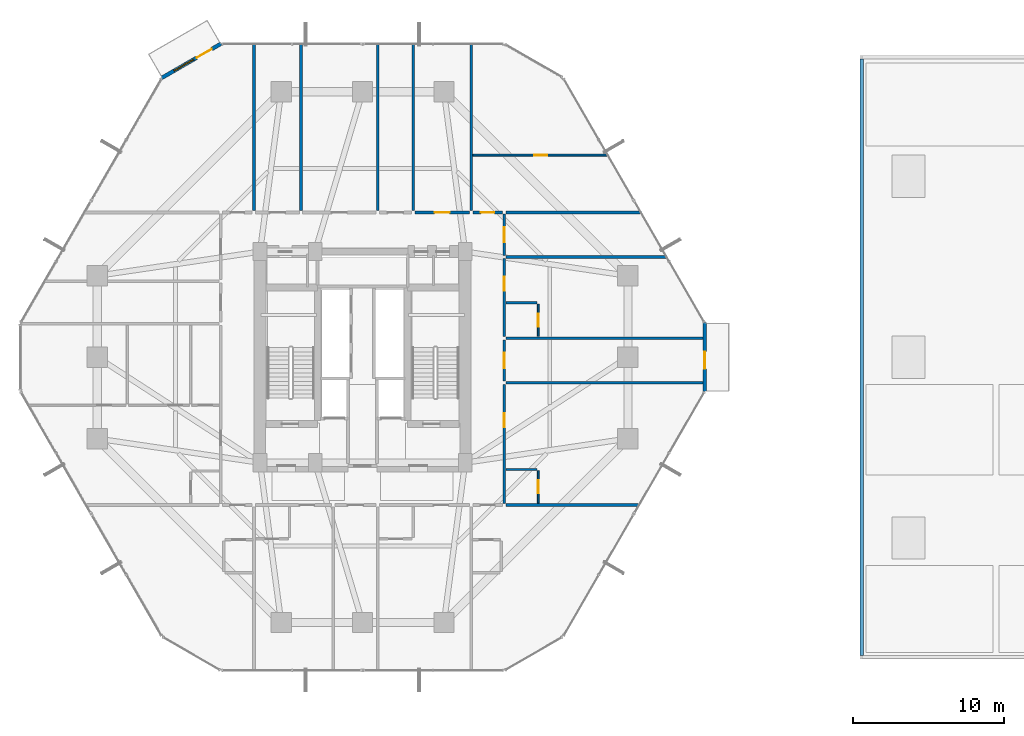
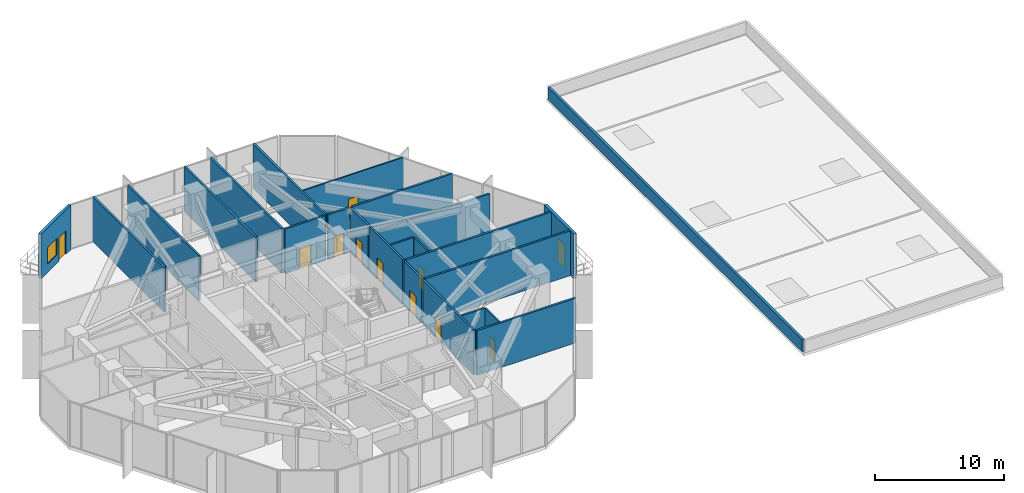
# One storey, part 35 of 39: 24 walls, 11 doors, 1 window, 12 openings.
"""IFC4 building model written with IfcOpenShell, lengths in metres."""

from ifc_helpers import new_model, si_unit, direction, frame, frame_2d, origin, place, context, subcontext, project, spatial, rectangle, extrude, source, transform, mapped, material, layer, layer_set, type_object, element, fill, save


model = new_model("IFC4")

# Units and contexts
model_context = context("Model", 3, precision=1e-05, world=origin(), true_north=direction((0.0, 1.0)))
body_context = subcontext(model_context, "Body", "Model", "MODEL_VIEW")
ifc_project = project(units=[si_unit("LENGTHUNIT", "METRE"), si_unit("AREAUNIT", "SQUARE_METRE"), si_unit("VOLUMEUNIT", "CUBIC_METRE"), si_unit("PLANEANGLEUNIT", "RADIAN"), si_unit("MASSUNIT", "GRAM", prefix="KILO")], contexts=[model_context])

# Site, building, storey
site_placement = place(None, origin())
site = spatial("IfcSite", under=ifc_project, at=site_placement, CompositionType="ELEMENT")
building_placement = place(site_placement, origin())
building = spatial("IfcBuilding", under=site, at=building_placement, Name="Veraguas Prism Commons", CompositionType="ELEMENT")
storey_placement = place(building_placement, frame((0.0, 0.0, 22.800048828125)))
storey = spatial("IfcBuildingStorey", under=building, at=storey_placement, Name="L05", CompositionType="ELEMENT", Elevation=22.800048828125)

# Walls
ifc_material_1 = material(Name="Autoclaved aerated masonry block 10 MPa", Category="masonry")
ifc_layer_1 = layer(ifc_material_1, 0.179931640625, Name="Corridor and Inter-Tenancy Partition 180", Category="masonry")
ifc_layer_set_1 = layer_set([ifc_layer_1], Name="Autoclaved aerated masonry block 10 MPa")
wall_type_1 = type_object("IfcWallType", Name="Corridor and Inter-Tenancy Partition 180", PredefinedType="PARTITIONING", material=ifc_layer_set_1)
for number, where, z_axis, x_axis, name in (
    (1, (16.800048828125, 33.719970703125, 0.0), (0.0, 0.0, 1.0), (0.0, 1.0, 0.0), "WL-L05-PT012"),
    (2, (31.199951171875, 33.719970703125, 0.0), (0.0, 0.0, 1.0), (0.0, 1.0, 0.0), "WL-L05-PT013"),
    (3, (19.9189453125, 33.719970703125, 0.0), (0.0, 0.0, 1.0), (0.0, 1.0, 0.0), "WL-L05-PT016"),
    (4, (25.008056640625, 33.719970703125, 0.0), (0.0, 0.0, 1.0), (0.0, 1.0, 0.0), "WL-L05-PT017"),
):
    element("IfcWall", number, at=place(storey_placement, frame(where, z_axis=z_axis, x_axis=x_axis)), inside=storey, type_object=wall_type_1, Name=name, PredefinedType="PARTITIONING", context=body_context, shape_type="SweptSolid", body=[
        extrude(rectangle(XDim=11.0947265625, YDim=0.179931640625, at=frame_2d((5.54736328125, 0.0))), origin(), (0.0, 0.0, 1.0), 4.25),
    ])

# Wall, opening, door
wall_1_placement = place(storey_placement, frame((27.470947265625, 33.60009765625, 0.0), z_axis=(0.0, 0.0, 1.0), x_axis=(1.0, 0.0, 0.0)))
wall_1 = element("IfcWall", 5, at=wall_1_placement, inside=storey, type_object=wall_type_1, Name="WL-L05-PT019", PredefinedType="PARTITIONING", context=body_context, shape_type="SweptSolid", body=[
    extrude(rectangle(XDim=3.619140625, YDim=0.179931640625, at=frame_2d((1.8095703125, 0.0))), origin(), (0.0, 0.0, 1.0), 4.25),
])
opening_1_placement = place(wall_1_placement, frame((1.3095703125, 0.0, 0.0)))
opening_1 = element("IfcOpeningElement", 6, at=opening_1_placement, cuts=wall_1, Name="Opening DR-13", PredefinedType="OPENING", context=body_context, shape_type="SweptSolid", body=[
    extrude(rectangle(XDim=1.0, YDim=2.010009765625, at=frame_2d((0.5, 1.0048828125))), frame((0.0, 0.099853515625, 0.0), z_axis=(0.0, -1.0, 0.0), x_axis=(1.0, 0.0, 0.0)), (0.0, 0.0, 1.0), 0.199951171875),
])
ifc_material_2 = material(Name="Steel fire-rated door assembly", Category="steel")
door_type_1 = type_object("IfcDoorType", Name="Core Accessible WC and Clinic Fire Door 1000x2010", OperationType="NOTDEFINED", PredefinedType="DOOR", material=ifc_material_2)
shared_shape_1 = source(origin(), body_context, "Body", "SweptSolid", [
    extrude(rectangle(XDim=1.0, YDim=2.010009765625, at=frame_2d((0.5, 1.0048828125))), frame((0.0, 0.02490234375, 0.0), z_axis=(0.0, -1.0, 0.0), x_axis=(1.0, 0.0, 0.0)), (0.0, 0.0, 1.0), 0.050048828125),
])
door_1_placement = place(opening_1_placement, origin())
door_1 = element("IfcDoor", 7, at=door_1_placement, inside=storey, type_object=door_type_1, Name="Co-op Store N Door", OperationType="SINGLE_SWING_RIGHT", OverallHeight=2.010009765625, OverallWidth=1.0, PredefinedType="DOOR", context=body_context, shape_type="MappedRepresentation", body=[
    mapped(shared_shape_1, transform((0.0, 0.0, 0.0), scale=1.0)),
])
fill(opening_1, door_1)

# Walls
wall_2_placement = place(storey_placement, frame((27.361083984375, 33.719970703125, 0.0), z_axis=(0.0, 0.0, 1.0), x_axis=(0.0, 1.0, 0.0)))
element("IfcWall", 8, at=wall_2_placement, inside=storey, type_object=wall_type_1, Name="WL-L05-PT020", PredefinedType="PARTITIONING", context=body_context, shape_type="SweptSolid", body=[
    extrude(rectangle(XDim=11.0947265625, YDim=0.179931640625, at=frame_2d((5.54736328125, 0.0))), origin(), (0.0, 0.0, 1.0), 4.25),
])
wall_3_placement = place(storey_placement, frame((33.52001953125, 14.199951171875, 0.0), z_axis=(0.0, 0.0, 1.0), x_axis=(1.0, 0.0, 0.0)))
element("IfcWall", 9, at=wall_3_placement, inside=storey, type_object=wall_type_1, Name="WL-L05-PT035", PredefinedType="PARTITIONING", context=body_context, shape_type="SweptSolid", body=[
    extrude(rectangle(XDim=8.856689453125, YDim=0.179931640625, at=frame_2d((4.42822265625, 0.0))), origin(), (0.0, 0.0, 1.0), 4.25),
])
wall_4_placement = place(storey_placement, frame((33.52001953125, 33.60009765625, 0.0), z_axis=(0.0, 0.0, 1.0), x_axis=(1.0, 0.0, 0.0)))
element("IfcWall", 10, at=wall_4_placement, inside=storey, type_object=wall_type_1, Name="WL-L05-PT036", PredefinedType="PARTITIONING", context=body_context, shape_type="SweptSolid", body=[
    extrude(rectangle(XDim=8.97216796875, YDim=0.179931640625, at=frame_2d((4.486083984375, 0.0))), origin(), (0.0, 0.0, 1.0), 4.25),
])

# Wall, opening, door
wall_5_placement = place(storey_placement, frame((33.39990234375, 22.41796875, 0.0), z_axis=(0.0, 0.0, 1.0), x_axis=(0.0, 1.0, 0.0)))
wall_5 = element("IfcWall", 11, at=wall_5_placement, inside=storey, type_object=wall_type_1, Name="WL-L05-PT037", PredefinedType="PARTITIONING", context=body_context, shape_type="SweptSolid", body=[
    extrude(rectangle(XDim=2.72998046875, YDim=0.179931640625, at=frame_2d((1.364990234375, 0.0))), origin(), (0.0, 0.0, 1.0), 4.25),
])
opening_2_placement = place(wall_5_placement, frame((0.864990234375, 0.0, 0.0)))
opening_2 = element("IfcOpeningElement", 12, at=opening_2_placement, cuts=wall_5, Name="Opening DR-13", PredefinedType="OPENING", context=body_context, shape_type="SweptSolid", body=[
    extrude(rectangle(XDim=1.0, YDim=2.010009765625, at=frame_2d((0.5, 1.0048828125))), frame((0.0, 0.099853515625, 0.0), z_axis=(0.0, -1.0, 0.0), x_axis=(1.0, 0.0, 0.0)), (0.0, 0.0, 1.0), 0.199951171875),
])
door_2_placement = place(opening_2_placement, origin())
door_2 = element("IfcDoor", 13, at=door_2_placement, inside=storey, type_object=door_type_1, Name="Quiet Study E Door", OperationType="SINGLE_SWING_RIGHT", OverallHeight=2.010009765625, OverallWidth=1.0, PredefinedType="DOOR", context=body_context, shape_type="MappedRepresentation", body=[
    mapped(shared_shape_1, transform((0.0, 0.0, 0.0), scale=1.0)),
])
fill(opening_2, door_2)

# Wall
wall_6_placement = place(storey_placement, frame((33.52001953125, 22.30810546875, 0.0), z_axis=(0.0, 0.0, 1.0), x_axis=(1.0, 0.0, 0.0)))
element("IfcWall", 14, at=wall_6_placement, inside=storey, type_object=wall_type_1, Name="WL-L05-PT038", PredefinedType="PARTITIONING", context=body_context, shape_type="SweptSolid", body=[
    extrude(rectangle(XDim=13.2109375, YDim=0.179931640625, at=frame_2d((6.60546875, 0.0))), origin(), (0.0, 0.0, 1.0), 4.25),
])

# Wall, opening, door
wall_7_placement = place(storey_placement, frame((33.39990234375, 14.31005859375, 0.0), z_axis=(0.0, 0.0, 1.0), x_axis=(0.0, 1.0, 0.0)))
wall_7 = element("IfcWall", 15, at=wall_7_placement, inside=storey, type_object=wall_type_1, Name="WL-L05-PT039", PredefinedType="PARTITIONING", context=body_context, shape_type="SweptSolid", body=[
    extrude(rectangle(XDim=7.887939453125, YDim=0.179931640625, at=frame_2d((3.94384765625, 0.0))), origin(), (0.0, 0.0, 1.0), 4.25),
])
opening_3_placement = place(wall_7_placement, frame((5.0380859375, 0.0, 0.0)))
opening_3 = element("IfcOpeningElement", 16, at=opening_3_placement, cuts=wall_7, Name="Opening DR-01", PredefinedType="OPENING", context=body_context, shape_type="SweptSolid", body=[
    extrude(rectangle(XDim=0.949951171875, YDim=2.02001953125, at=frame_2d((0.47509765625, 1.010009765625))), frame((0.0, 0.099853515625, 0.0), z_axis=(0.0, -1.0, 0.0), x_axis=(1.0, 0.0, 0.0)), (0.0, 0.0, 1.0), 0.199951171875),
])
ifc_material_3 = material(Name="Anodised aluminium EN AW-6063 T6", Category="aluminium")
door_type_2 = type_object("IfcDoorType", Name="Apartment Entrance Fire Door 950x2020", OperationType="NOTDEFINED", PredefinedType="DOOR", material=ifc_material_3)
shared_shape_2 = source(origin(), body_context, "Body", "SweptSolid", [
    extrude(rectangle(XDim=0.949951171875, YDim=2.02001953125, at=frame_2d((0.47509765625, 1.010009765625))), frame((0.0, 0.02490234375, 0.0), z_axis=(0.0, -1.0, 0.0), x_axis=(1.0, 0.0, 0.0)), (0.0, 0.0, 1.0), 0.050048828125),
])
door_3_placement = place(opening_3_placement, origin())
door_3 = element("IfcDoor", 17, at=door_3_placement, inside=storey, type_object=door_type_2, Name="Studio 05D Entrance Door", OperationType="SINGLE_SWING_LEFT", OverallHeight=2.02001953125, OverallWidth=0.949951171875, PredefinedType="DOOR", context=body_context, shape_type="MappedRepresentation", body=[
    mapped(shared_shape_2, transform((0.0, 0.0, 0.0), scale=1.0)),
])
fill(opening_3, door_3)

# Wall
wall_8_placement = place(storey_placement, frame((33.52001953125, 25.258056640625, 0.0), z_axis=(0.0, 0.0, 1.0), x_axis=(1.0, 0.0, 0.0)))
element("IfcWall", 18, at=wall_8_placement, inside=storey, type_object=wall_type_1, Name="WL-L05-PT042", PredefinedType="PARTITIONING", context=body_context, shape_type="SweptSolid", body=[
    extrude(rectangle(XDim=13.2109375, YDim=0.179931640625, at=frame_2d((6.60546875, 0.0))), origin(), (0.0, 0.0, 1.0), 4.25),
])

# Wall, opening, door
wall_9_placement = place(storey_placement, frame((33.39990234375, 30.760009765625, 0.0), z_axis=(0.0, 0.0, 1.0), x_axis=(0.0, 1.0, 0.0)))
wall_9 = element("IfcWall", 19, at=wall_9_placement, inside=storey, type_object=wall_type_1, Name="WL-L05-PT043", PredefinedType="PARTITIONING", context=body_context, shape_type="SweptSolid", body=[
    extrude(rectangle(XDim=2.72998046875, YDim=0.179931640625, at=frame_2d((1.364990234375, 0.0))), origin(), (0.0, 0.0, 1.0), 4.25),
])
opening_4_placement = place(wall_9_placement, frame((0.864990234375, 0.0, 0.0)))
opening_4 = element("IfcOpeningElement", 20, at=opening_4_placement, cuts=wall_9, Name="Opening DR-13", PredefinedType="OPENING", context=body_context, shape_type="SweptSolid", body=[
    extrude(rectangle(XDim=1.0, YDim=2.010009765625, at=frame_2d((0.5, 1.0048828125))), frame((0.0, 0.099853515625, 0.0), z_axis=(0.0, -1.0, 0.0), x_axis=(1.0, 0.0, 0.0)), (0.0, 0.0, 1.0), 0.199951171875),
])
door_4_placement = place(opening_4_placement, origin())
door_4 = element("IfcDoor", 21, at=door_4_placement, inside=storey, type_object=door_type_1, Name="Quiet Study E Door", OperationType="SINGLE_SWING_LEFT", OverallHeight=2.010009765625, OverallWidth=1.0, PredefinedType="DOOR", context=body_context, shape_type="MappedRepresentation", body=[
    mapped(shared_shape_1, transform((0.0, 0.0, 0.0), scale=1.0)),
])
fill(opening_4, door_4)

# Wall
wall_10_placement = place(storey_placement, frame((33.52001953125, 30.64990234375, 0.0), z_axis=(0.0, 0.0, 1.0), x_axis=(1.0, 0.0, 0.0)))
element("IfcWall", 22, at=wall_10_placement, inside=storey, type_object=wall_type_1, Name="WL-L05-PT044", PredefinedType="PARTITIONING", context=body_context, shape_type="SweptSolid", body=[
    extrude(rectangle(XDim=10.67529296875, YDim=0.179931640625, at=frame_2d((5.337646484375, 0.0))), origin(), (0.0, 0.0, 1.0), 3.549072265625),
])

# Wall, opening, door
wall_11_placement = place(storey_placement, frame((33.39990234375, 25.367919921875, 0.0), z_axis=(0.0, 0.0, 1.0), x_axis=(0.0, 1.0, 0.0)))
wall_11 = element("IfcWall", 23, at=wall_11_placement, inside=storey, type_object=wall_type_1, Name="WL-L05-PT045", PredefinedType="PARTITIONING", context=body_context, shape_type="SweptSolid", body=[
    extrude(rectangle(XDim=5.172119140625, YDim=0.179931640625, at=frame_2d((2.5859375, 0.0))), origin(), (0.0, 0.0, 1.0), 4.25),
])
opening_5_placement = place(wall_11_placement, frame((3.0283203125, 0.0, 0.0)))
opening_5 = element("IfcOpeningElement", 24, at=opening_5_placement, cuts=wall_11, Name="Opening DR-01", PredefinedType="OPENING", context=body_context, shape_type="SweptSolid", body=[
    extrude(rectangle(XDim=0.949951171875, YDim=2.02001953125, at=frame_2d((0.47509765625, 1.010009765625))), frame((0.0, 0.099853515625, 0.0), z_axis=(0.0, -1.0, 0.0), x_axis=(1.0, 0.0, 0.0)), (0.0, 0.0, 1.0), 0.199951171875),
])
door_5_placement = place(opening_5_placement, origin())
door_5 = element("IfcDoor", 25, at=door_5_placement, inside=storey, type_object=door_type_2, Name="Studio 05E Entrance Door", OperationType="SINGLE_SWING_RIGHT", OverallHeight=2.02001953125, OverallWidth=0.949951171875, PredefinedType="DOOR", context=body_context, shape_type="MappedRepresentation", body=[
    mapped(shared_shape_2, transform((0.0, 0.0, 0.0), scale=1.0)),
])
fill(opening_5, door_5)

wall_12_placement = place(storey_placement, frame((31.320068359375, 33.60009765625, 0.0), z_axis=(0.0, 0.0, 1.0), x_axis=(1.0, 0.0, 0.0)))
wall_12 = element("IfcWall", 26, at=wall_12_placement, inside=storey, type_object=wall_type_1, Name="WL-L05-PT057", PredefinedType="PARTITIONING", context=body_context, shape_type="SweptSolid", body=[
    extrude(rectangle(XDim=1.9599609375, YDim=0.179931640625, at=frame_2d((0.97998046875, 0.0))), origin(), (0.0, 0.0, 1.0), 4.25),
])
opening_6_placement = place(wall_12_placement, frame((0.530029296875, 0.0, 0.0)))
opening_6 = element("IfcOpeningElement", 27, at=opening_6_placement, cuts=wall_12, Name="Opening DR-14", PredefinedType="OPENING", context=body_context, shape_type="SweptSolid", body=[
    extrude(rectangle(XDim=0.89990234375, YDim=2.010009765625, at=frame_2d((0.449951171875, 1.0048828125))), frame((0.0, 0.099853515625, 0.0), z_axis=(0.0, -1.0, 0.0), x_axis=(1.0, 0.0, 0.0)), (0.0, 0.0, 1.0), 0.199951171875),
])
door_type_3 = type_object("IfcDoorType", Name="Core Service Room Fire Door 900x2010", OperationType="NOTDEFINED", PredefinedType="DOOR", material=ifc_material_2)
shared_shape_3 = source(origin(), body_context, "Body", "SweptSolid", [
    extrude(rectangle(XDim=0.89990234375, YDim=2.010009765625, at=frame_2d((0.449951171875, 1.0048828125))), frame((0.0, 0.02490234375, 0.0), z_axis=(0.0, -1.0, 0.0), x_axis=(1.0, 0.0, 0.0)), (0.0, 0.0, 1.0), 0.050048828125),
])
door_6_placement = place(opening_6_placement, origin())
door_6 = element("IfcDoor", 28, at=door_6_placement, inside=storey, type_object=door_type_3, Name="Shared Laundry Room Door", OperationType="SINGLE_SWING_LEFT", OverallHeight=2.010009765625, OverallWidth=0.89990234375, PredefinedType="DOOR", context=body_context, shape_type="MappedRepresentation", body=[
    mapped(shared_shape_3, transform((0.0, 0.0, 0.0), scale=1.0)),
])
fill(opening_6, door_6)

ifc_material_4 = material(Name="Precast concrete C40/50", Category="concrete")
ifc_layer_2 = layer(ifc_material_4, 0.25, Name="External Loggia and Portal Wall 250", Category="concrete")
ifc_layer_set_2 = layer_set([ifc_layer_2], Name="Precast concrete C40/50")
wall_type_2 = type_object("IfcWallType", Name="External Loggia and Portal Wall 250", PredefinedType="SOLIDWALL", material=ifc_layer_set_2)
wall_13_placement = place(storey_placement, frame((46.700927734375, 21.7099609375, 0.0), z_axis=(0.0, 0.0, 1.0), x_axis=(0.0, 1.0, 0.0)))
wall_13 = element("IfcWall", 29, at=wall_13_placement, inside=storey, type_object=wall_type_2, Name="Corner Loggia Wall L05-C1", PredefinedType="SOLIDWALL", context=body_context, shape_type="SweptSolid", body=[
    extrude(rectangle(XDim=4.580078125, YDim=0.25, at=frame_2d((2.2900390625, 0.0))), origin(), (0.0, 0.0, 1.0), 4.25),
])
opening_7_placement = place(wall_13_placement, frame((1.510009765625, 0.0, 0.0)))
opening_7 = element("IfcOpeningElement", 30, at=opening_7_placement, cuts=wall_13, Name="Opening DR-10", PredefinedType="OPENING", context=body_context, shape_type="SweptSolid", body=[
    extrude(rectangle(XDim=1.14990234375, YDim=2.25, at=frame_2d((0.574951171875, 1.125))), frame((0.0, 0.135009765625, 0.0), z_axis=(0.0, -1.0, 0.0), x_axis=(1.0, 0.0, 0.0)), (0.0, 0.0, 1.0), 0.27001953125),
])
door_type_4 = type_object("IfcDoorType", Name="Glazed Loggia and Terrace Door 1150x2250", OperationType="NOTDEFINED", PredefinedType="DOOR", material=ifc_material_3)
shared_shape_4 = source(origin(), body_context, "Body", "SweptSolid", [
    extrude(rectangle(XDim=1.14990234375, YDim=2.25, at=frame_2d((0.574951171875, 1.125))), frame((0.0, 0.02490234375, 0.0), z_axis=(0.0, -1.0, 0.0), x_axis=(1.0, 0.0, 0.0)), (0.0, 0.0, 1.0), 0.050048828125),
])
door_7_placement = place(opening_7_placement, frame((1.14990234375, 0.0, 0.0), z_axis=(0.0, 0.0, 1.0), x_axis=(-1.0, 0.0, 0.0)))
door_7 = element("IfcDoor", 31, at=door_7_placement, inside=storey, type_object=door_type_4, Name="Recessed Loggia Door L05-C1", OperationType="SINGLE_SWING_RIGHT", OverallHeight=2.25, OverallWidth=1.14990234375, PredefinedType="DOOR", context=body_context, shape_type="MappedRepresentation", body=[
    mapped(shared_shape_4, transform((0.0, 0.0, 0.0), scale=1.0)),
])
fill(opening_7, door_7)

# Wall, openings, window, door
wall_14_placement = place(storey_placement, frame((14.6328125, 44.8046875, 0.0), z_axis=(0.0, 0.0, 1.0), x_axis=(-0.866016920268, -0.500014693593, 0.0)))
wall_14 = element("IfcWall", 32, at=wall_14_placement, inside=storey, type_object=wall_type_2, Name="Corner Loggia Wall L05-C3", PredefinedType="SOLIDWALL", context=body_context, shape_type="SweptSolid", body=[
    extrude(rectangle(XDim=4.579833984375, YDim=0.25, at=frame_2d((2.2900390625, 0.0))), origin(), (0.0, 0.0, 1.0), 4.25),
])
opening_8_placement = place(wall_14_placement, frame((0.72998046875, 0.0, 0.0)))
opening_8 = element("IfcOpeningElement", 33, at=opening_8_placement, cuts=wall_14, Name="Opening DR-10", PredefinedType="OPENING", context=body_context, shape_type="SweptSolid", body=[
    extrude(rectangle(XDim=1.14990234375, YDim=2.25, at=frame_2d((0.574951171875, 1.125))), frame((0.0, 0.135009765625, 0.0), z_axis=(0.0, -1.0, 0.0), x_axis=(1.0, 0.0, 0.0)), (0.0, 0.0, 1.0), 0.27001953125),
])
opening_9_placement = place(wall_14_placement, frame((2.1298828125, 0.0, 0.800048828125)))
opening_9 = element("IfcOpeningElement", 34, at=opening_9_placement, cuts=wall_14, Name="Opening WN-05", PredefinedType="OPENING", context=body_context, shape_type="SweptSolid", body=[
    extrude(rectangle(XDim=1.5, YDim=1.60009765625, at=frame_2d((0.75, 0.800048828125))), frame((0.0, 0.135009765625, 0.0), z_axis=(0.0, -1.0, 0.0), x_axis=(1.0, 0.0, 0.0)), (0.0, 0.0, 1.0), 0.27001953125),
])
ifc_material_5 = material(Name="Laminated low-e glass", Category="glass")
window_type = type_object("IfcWindowType", Name="Loggia Living Side Window 1500x1600", PartitioningType="DOUBLE_PANEL_VERTICAL", PredefinedType="WINDOW", material=ifc_material_5)
shared_shape_5 = source(origin(), body_context, "Body", "SweptSolid", [
    extrude(rectangle(XDim=1.5, YDim=1.60009765625, at=frame_2d((0.75, 0.800048828125))), frame((0.0, 0.030029296875, 0.0), z_axis=(0.0, -1.0, 0.0), x_axis=(1.0, 0.0, 0.0)), (0.0, 0.0, 1.0), 0.06005859375),
])
window_placement = place(opening_9_placement, origin())
window = element("IfcWindow", 35, at=window_placement, inside=storey, type_object=window_type, Name="Loggia Side Window L05-C3", OverallHeight=1.60009765625, OverallWidth=1.5, PartitioningType="DOUBLE_PANEL_VERTICAL", PredefinedType="WINDOW", context=body_context, shape_type="MappedRepresentation", body=[
    mapped(shared_shape_5, transform((0.0, 0.0, 0.0), scale=1.0)),
])
fill(opening_9, window)
door_8_placement = place(opening_8_placement, frame((1.14990234375, 0.0, 0.0), z_axis=(0.0, 0.0, 1.0), x_axis=(-1.0, 0.0, 0.0)))
door_8 = element("IfcDoor", 36, at=door_8_placement, inside=storey, type_object=door_type_4, Name="Recessed Loggia Door L05-C3", OperationType="SINGLE_SWING_LEFT", OverallHeight=2.25, OverallWidth=1.14990234375, PredefinedType="DOOR", context=body_context, shape_type="MappedRepresentation", body=[
    mapped(shared_shape_4, transform((0.0, 0.0, 0.0), scale=1.0)),
])
fill(opening_8, door_8)

# Wall, opening, door
ifc_material_6 = material(Name="Lightweight acoustic gypsum board")
ifc_layer_3 = layer(ifc_material_6, 0.125, Name="Internal Apartment Room Partition 125")
ifc_layer_set_3 = layer_set([ifc_layer_3], Name="Lightweight acoustic gypsum board")
wall_type_3 = type_object("IfcWallType", Name="Internal Apartment Room Partition 125", PredefinedType="PARTITIONING", material=ifc_layer_set_3)
wall_15_placement = place(storey_placement, frame((35.64990234375, 14.320068359375, 0.0), z_axis=(0.0, 0.0, 1.0), x_axis=(0.0, 1.0, 0.0)))
wall_15 = element("IfcWall", 37, at=wall_15_placement, inside=storey, type_object=wall_type_3, Name="WL-L05-PT041", PredefinedType="PARTITIONING", context=body_context, shape_type="SweptSolid", body=[
    extrude(rectangle(XDim=2.14990234375, YDim=0.125, at=frame_2d((1.074951171875, 0.0))), origin(), (0.0, 0.0, 1.0), 4.25),
])
opening_10_placement = place(wall_15_placement, frame((0.64501953125, 0.0, 0.0)))
opening_10 = element("IfcOpeningElement", 38, at=opening_10_placement, cuts=wall_15, Name="Opening DR-03", PredefinedType="OPENING", context=body_context, shape_type="SweptSolid", body=[
    extrude(rectangle(XDim=0.860107421875, YDim=2.010009765625, at=frame_2d((0.43017578125, 1.0048828125))), frame((0.0, 0.072509765625, 0.0), z_axis=(0.0, -1.0, 0.0), x_axis=(1.0, 0.0, 0.0)), (0.0, 0.0, 1.0), 0.14501953125),
])
ifc_material_7 = material(Name="Timber moisture-resistant leaf", Category="wood")
door_type_5 = type_object("IfcDoorType", Name="Internal Bathroom Door 860x2010", OperationType="NOTDEFINED", PredefinedType="DOOR", material=ifc_material_7)
shared_shape_6 = source(origin(), body_context, "Body", "SweptSolid", [
    extrude(rectangle(XDim=0.860107421875, YDim=2.010009765625, at=frame_2d((0.43017578125, 1.0048828125))), frame((0.0, 0.02490234375, 0.0), z_axis=(0.0, -1.0, 0.0), x_axis=(1.0, 0.0, 0.0)), (0.0, 0.0, 1.0), 0.050048828125),
])
door_9_placement = place(opening_10_placement, origin())
door_9 = element("IfcDoor", 39, at=door_9_placement, inside=storey, type_object=door_type_5, Name="Studio 05D Bathroom Door", OperationType="SINGLE_SWING_RIGHT", OverallHeight=2.010009765625, OverallWidth=0.860107421875, PredefinedType="DOOR", context=body_context, shape_type="MappedRepresentation", body=[
    mapped(shared_shape_6, transform((0.0, 0.0, 0.0), scale=1.0)),
])
fill(opening_10, door_9)

wall_16_placement = place(storey_placement, frame((35.64990234375, 25.3779296875, 0.0), z_axis=(0.0, 0.0, 1.0), x_axis=(0.0, 1.0, 0.0)))
wall_16 = element("IfcWall", 40, at=wall_16_placement, inside=storey, type_object=wall_type_3, Name="WL-L05-PT047", PredefinedType="PARTITIONING", context=body_context, shape_type="SweptSolid", body=[
    extrude(rectangle(XDim=2.150146484375, YDim=0.125, at=frame_2d((1.0751953125, 0.0))), origin(), (0.0, 0.0, 1.0), 4.25),
])
opening_11_placement = place(wall_16_placement, frame((0.64501953125, 0.0, 0.0)))
opening_11 = element("IfcOpeningElement", 41, at=opening_11_placement, cuts=wall_16, Name="Opening DR-03", PredefinedType="OPENING", context=body_context, shape_type="SweptSolid", body=[
    extrude(rectangle(XDim=0.860107421875, YDim=2.010009765625, at=frame_2d((0.43017578125, 1.0048828125))), frame((0.0, 0.072509765625, 0.0), z_axis=(0.0, -1.0, 0.0), x_axis=(1.0, 0.0, 0.0)), (0.0, 0.0, 1.0), 0.14501953125),
])
door_10_placement = place(opening_11_placement, origin())
door_10 = element("IfcDoor", 42, at=door_10_placement, inside=storey, type_object=door_type_5, Name="Studio 05E Bathroom Door", OperationType="SINGLE_SWING_LEFT", OverallHeight=2.010009765625, OverallWidth=0.860107421875, PredefinedType="DOOR", context=body_context, shape_type="MappedRepresentation", body=[
    mapped(shared_shape_6, transform((0.0, 0.0, 0.0), scale=1.0)),
])
fill(opening_11, door_10)

wall_17_placement = place(storey_placement, frame((31.320068359375, 37.39990234375, 0.0), z_axis=(0.0, 0.0, 1.0), x_axis=(1.0, 0.0, 0.0)))
wall_17 = element("IfcWall", 43, at=wall_17_placement, inside=storey, type_object=wall_type_3, Name="WL-L05-PT058", PredefinedType="PARTITIONING", context=body_context, shape_type="SweptSolid", body=[
    extrude(rectangle(XDim=8.97802734375, YDim=0.125, at=frame_2d((4.489013671875, 0.0))), origin(), (0.0, 0.0, 1.0), 4.25),
])
opening_12_placement = place(wall_17_placement, frame((4.05908203125, 0.0, 0.0)))
opening_12 = element("IfcOpeningElement", 44, at=opening_12_placement, cuts=wall_17, Name="Opening DR-03", PredefinedType="OPENING", context=body_context, shape_type="SweptSolid", body=[
    extrude(rectangle(XDim=0.860107421875, YDim=2.010009765625, at=frame_2d((0.43017578125, 1.0048828125))), frame((0.0, 0.072509765625, 0.0), z_axis=(0.0, -1.0, 0.0), x_axis=(1.0, 0.0, 0.0)), (0.0, 0.0, 1.0), 0.14501953125),
])
door_11_placement = place(opening_12_placement, origin())
door_11 = element("IfcDoor", 45, at=door_11_placement, inside=storey, type_object=door_type_5, Name="Corner Store NE Door", OperationType="SINGLE_SWING_RIGHT", OverallHeight=2.010009765625, OverallWidth=0.860107421875, PredefinedType="DOOR", context=body_context, shape_type="MappedRepresentation", body=[
    mapped(shared_shape_6, transform((0.0, 0.0, 0.0), scale=1.0)),
])
fill(opening_12, door_11)

# Walls
ifc_layer_4 = layer(ifc_material_4, 0.219970703125, Name="Roof and Terrace Parapet Wall 220", Category="concrete")
ifc_layer_set_4 = layer_set([ifc_layer_4], Name="Precast concrete C40/50")
wall_type_4 = type_object("IfcWallType", Name="Roof and Terrace Parapet Wall 220", PredefinedType="PARAPET", material=ifc_layer_set_4)
wall_18_placement = place(storey_placement, frame((57.110107421875, 43.780029296875, 0.0), z_axis=(0.0, 0.0, 1.0), x_axis=(0.0, -1.0, 0.0)))
element("IfcWall", 46, at=wall_18_placement, inside=storey, type_object=wall_type_4, Name="Health Centre Roof Parapet W", PredefinedType="PARAPET", context=body_context, shape_type="SweptSolid", body=[
    extrude(rectangle(XDim=39.56005859375, YDim=0.219970703125, at=frame_2d((19.780029296875, 0.0))), origin(), (0.0, 0.0, 1.0), 1.14990234375),
])
ifc_layer_5 = layer(ifc_material_6, 0.14990234375, Name="Wet Room and Clinic Acoustic Partition 150")
ifc_layer_set_5 = layer_set([ifc_layer_5], Name="Lightweight acoustic gypsum board")
wall_type_5 = type_object("IfcWallType", Name="Wet Room and Clinic Acoustic Partition 150", PredefinedType="PARTITIONING", material=ifc_layer_set_5)
for number, where, z_axis, x_axis, name in (
    (47, (33.52001953125, 16.550048828125, 0.0), (0.0, 0.0, 1.0), (1.0, 0.0, 0.0), "WL-L05-PT040"),
    (48, (33.52001953125, 27.60791015625, 0.0), (0.0, 0.0, 1.0), (1.0, 0.0, 0.0), "WL-L05-PT046"),
):
    element("IfcWall", number, at=place(storey_placement, frame(where, z_axis=z_axis, x_axis=x_axis)), inside=storey, type_object=wall_type_5, Name=name, PredefinedType="PARTITIONING", context=body_context, shape_type="SweptSolid", body=[
        extrude(rectangle(XDim=2.050048828125, YDim=0.14990234375, at=frame_2d((1.02490234375, 0.0))), origin(), (0.0, 0.0, 1.0), 4.25),
    ])

save(model, "model.ifc")
